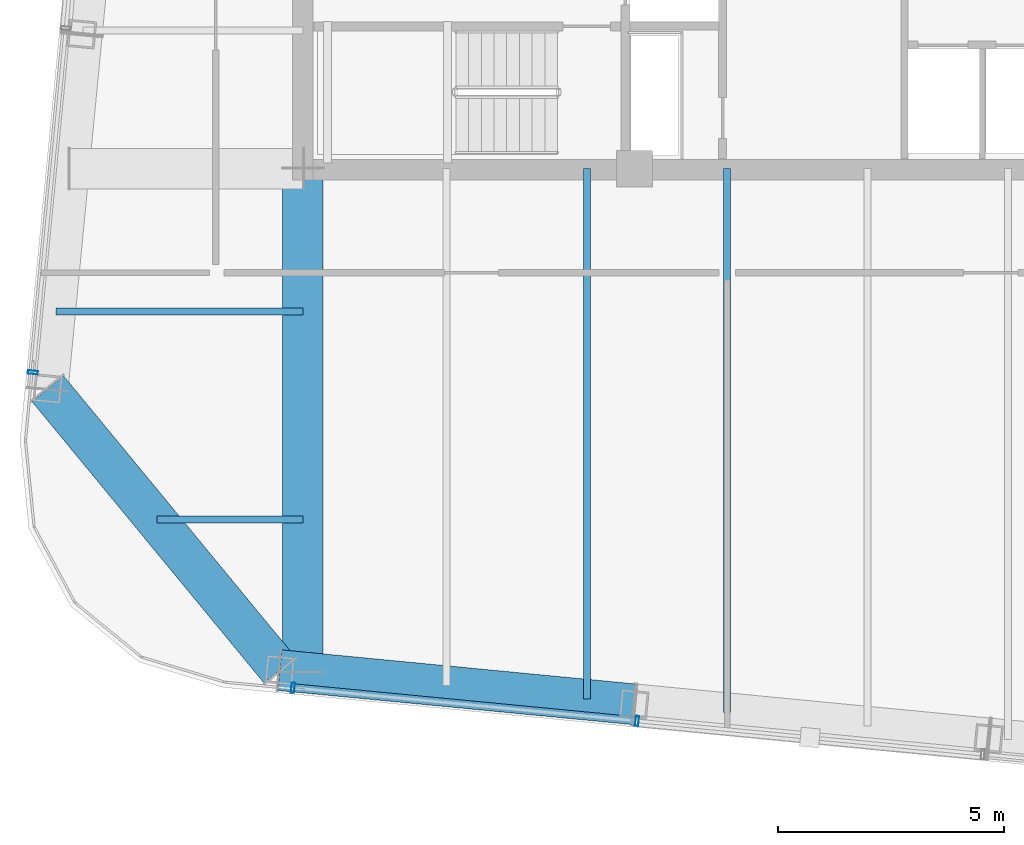
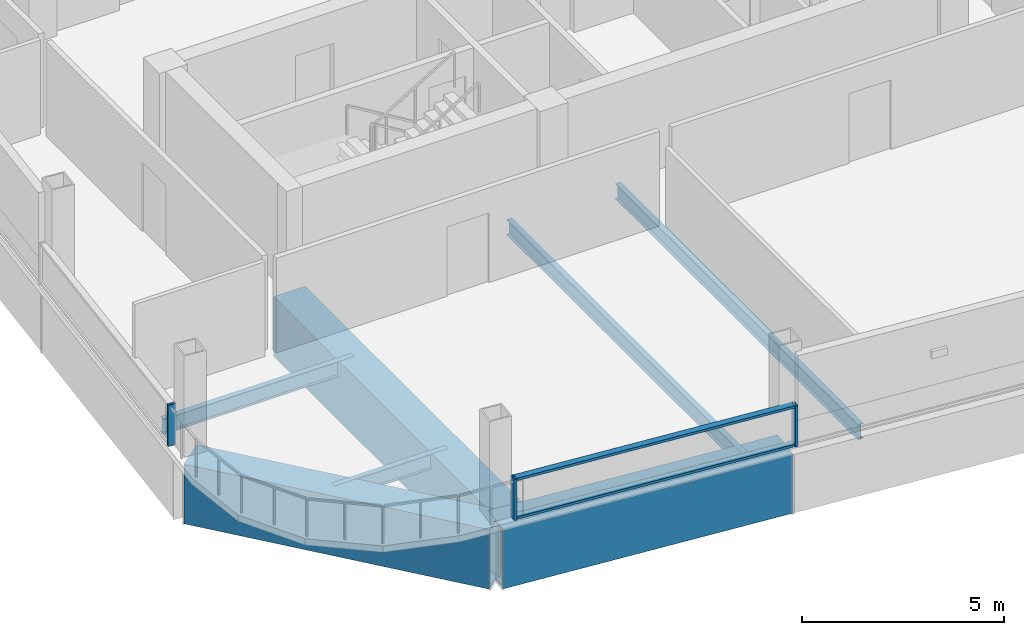
# One storey, part 2 of 21: 7 beams, 5 members, 2 elements without a shape of their own.
"""IFC4 building model written with IfcOpenShell, lengths in metres."""

from ifc_helpers import new_model, si_unit, direction, frame, origin, origin_2d, place, context, subcontext, project, spatial, hollow_rectangle, i_section, extrude, material, layer, layer_set, material_profile, profile_set, type_object, element, aggregate, save


model = new_model("IFC4")

# Units and contexts
model_context = context("Model", 3, precision=1e-05, world=origin(), true_north=direction((0.0, 1.0)))
body_context = subcontext(model_context, "Body", "Model", "MODEL_VIEW")
ifc_project = project(units=[si_unit("LENGTHUNIT", "METRE"), si_unit("AREAUNIT", "SQUARE_METRE"), si_unit("VOLUMEUNIT", "CUBIC_METRE"), si_unit("PLANEANGLEUNIT", "RADIAN"), si_unit("MASSUNIT", "GRAM", prefix="KILO")], contexts=[model_context])

# Site, building, storey
site_placement = place(None, origin())
site = spatial("IfcSite", under=ifc_project, at=site_placement, CompositionType="ELEMENT")
building_placement = place(site_placement, origin())
building = spatial("IfcBuilding", under=site, at=building_placement, Name="Qhalaya Broadcast Tower", CompositionType="ELEMENT")
storey_placement = place(building_placement, frame((0.0, 0.0, 270.300048828125)))
storey = spatial("IfcBuildingStorey", under=building, at=storey_placement, Name="L80", CompositionType="ELEMENT", Elevation=270.300048828125)

# Beams
ifc_material_1 = material(Name="Structural Steel ASTM A572 Grade 50", Category="steel")
ifc_material_profile_1 = material_profile(ifc_material_1, hollow_rectangle(XDim=0.89990234375, YDim=1.800048828125, WallThickness=0.06005859375, at=origin_2d()), Name="BOX 900x1800x60")
ifc_profile_set_1 = profile_set([ifc_material_profile_1], Name="Structural Steel ASTM A572 Grade 50")
beam_type_1 = type_object("IfcBeamType", Name="Block Cantilever Transfer Box Girder TG1", PredefinedType="USERDEFINED", material=ifc_profile_set_1)
beam_1_placement = place(storey_placement, frame((-9.883056640625, -19.82861328125, -1.090087890625), z_axis=(0.995397308407, -0.095834223619, 0.0), x_axis=(0.095834223619, 0.995397308407, 0.0)))
element("IfcBeam", 1, at=beam_1_placement, inside=storey, type_object=beam_type_1, Name="L80 TG1 L80-SPR-01", ObjectType="GIRDER", PredefinedType="USERDEFINED", context=body_context, shape_type="SweptSolid", body=[
    extrude(hollow_rectangle(XDim=0.89990234375, YDim=1.800048828125, WallThickness=0.06005859375, at=origin_2d()), origin(), (0.0, 0.0, 1.0), 7.86669921875),
])
beam_2_placement = place(storey_placement, frame((-15.010498046875, -13.6083984375, -1.090087890625), z_axis=(0.636070241972, -0.771631160126, 0.0), x_axis=(0.771631160126, 0.636070241972, 0.0)))
element("IfcBeam", 2, at=beam_2_placement, inside=storey, type_object=beam_type_1, Name="L80 TG1 L80-SPR-16", ObjectType="GIRDER", PredefinedType="USERDEFINED", context=body_context, shape_type="SweptSolid", body=[
    extrude(hollow_rectangle(XDim=0.89990234375, YDim=1.800048828125, WallThickness=0.06005859375, at=origin_2d()), origin(), (0.0, 0.0, 1.0), 8.06103515625),
])
beam_3_placement = place(storey_placement, frame((-9.375, -19.857421875, -1.090087890625), z_axis=(0.0, 1.0, 0.0), x_axis=(-1.0, 0.0, 0.0)))
element("IfcBeam", 3, at=beam_3_placement, inside=storey, type_object=beam_type_1, Name="L80 TG1 L80-PGXS1-1", ObjectType="GIRDER", PredefinedType="USERDEFINED", context=body_context, shape_type="SweptSolid", body=[
    extrude(hollow_rectangle(XDim=0.89990234375, YDim=1.800048828125, WallThickness=0.06005859375, at=origin_2d()), origin(), (0.0, 0.0, 1.0), 11.107421875),
])
ifc_material_2 = material(Name="Structural Steel ASTM A992 Grade 50", Category="steel")
ifc_material_profile_2 = material_profile(ifc_material_2, i_section(OverallWidth=0.154052734375, OverallDepth=0.458984375, WebThickness=0.009033203125, FlangeThickness=0.015380859375, at=origin_2d()), Name="W18X46")
ifc_profile_set_2 = profile_set([ifc_material_profile_2], Name="Structural Steel ASTM A992 Grade 50")
beam_type_2 = type_object("IfcBeamType", Name="Composite Floor Joist J04", PredefinedType="JOIST", material=ifc_profile_set_2)
beam_4_placement = place(storey_placement, frame((-3.10009765625, -20.46142578125, -0.41943359375), z_axis=(0.0, 1.0, 0.0), x_axis=(-1.0, 0.0, 0.0)))
element("IfcBeam", 4, at=beam_4_placement, inside=storey, type_object=beam_type_2, Name="L80 J04 L80-JNS2-1", PredefinedType="JOIST", context=body_context, shape_type="SweptSolid", body=[
    extrude(i_section(OverallWidth=0.154052734375, OverallDepth=0.458984375, WebThickness=0.009033203125, FlangeThickness=0.015380859375, at=origin_2d()), origin(), (0.0, 0.0, 1.0), 11.71142578125),
])
beam_5_placement = place(storey_placement, frame((0.0, -20.760009765625, -0.41943359375), z_axis=(0.0, 1.0, 0.0), x_axis=(-1.0, 0.0, 0.0)))
element("IfcBeam", 5, at=beam_5_placement, inside=storey, type_object=beam_type_2, Name="L80 J04 L80-JNS3-1", PredefinedType="JOIST", context=body_context, shape_type="SweptSolid", body=[
    extrude(i_section(OverallWidth=0.154052734375, OverallDepth=0.458984375, WebThickness=0.009033203125, FlangeThickness=0.015380859375, at=origin_2d()), origin(), (0.0, 0.0, 1.0), 12.010009765625),
])
beam_6_placement = place(storey_placement, frame((-12.600830078125, -16.5, -0.41943359375), z_axis=(1.0, 0.0, 0.0), x_axis=(0.0, 1.0, 0.0)))
element("IfcBeam", 6, at=beam_6_placement, inside=storey, type_object=beam_type_2, Name="L80 J04 L80-JWE1W-1", PredefinedType="JOIST", context=body_context, shape_type="SweptSolid", body=[
    extrude(i_section(OverallWidth=0.154052734375, OverallDepth=0.458984375, WebThickness=0.009033203125, FlangeThickness=0.015380859375, at=origin_2d()), origin(), (0.0, 0.0, 1.0), 3.225830078125),
])
beam_7_placement = place(storey_placement, frame((-14.82568359375, -11.89990234375, -0.41943359375), z_axis=(1.0, 0.0, 0.0), x_axis=(0.0, 1.0, 0.0)))
element("IfcBeam", 7, at=beam_7_placement, inside=storey, type_object=beam_type_2, Name="L80 J04 L80-JWE2W-1", PredefinedType="JOIST", context=body_context, shape_type="SweptSolid", body=[
    extrude(i_section(OverallWidth=0.154052734375, OverallDepth=0.458984375, WebThickness=0.009033203125, FlangeThickness=0.015380859375, at=origin_2d()), origin(), (0.0, 0.0, 1.0), 5.45068359375),
])

# Curtain wall, members
ifc_material_3 = material(Name="Fired Architectural Terracotta", Category="masonry")
ifc_layer = layer(ifc_material_3, 0.219970703125, Name="Fired Architectural Terracotta")
ifc_layer_set = layer_set([ifc_layer], Name="Fired Architectural Terracotta")
curtain_wall_type = type_object("IfcCurtainWallType", Name="Block-Cap Unitised Terracotta Spandrel Wall CW-07", PredefinedType="NOTDEFINED", material=ifc_layer_set)
curtain_wall_1_placement = place(storey_placement, origin())
curtain_wall_1 = element("IfcCurtainWall", 8, at=curtain_wall_1_placement, inside=storey, type_object=curtain_wall_type, Name="L80 Unitised Curtain Wall L80-CW-S", PredefinedType="NOTDEFINED")
ifc_material_4 = material(Name="Anodised Aluminium 6063-T6", Category="aluminium")
ifc_material_profile_3 = material_profile(ifc_material_4, hollow_rectangle(XDim=0.074951171875, YDim=0.219970703125, WallThickness=0.00390625, at=origin_2d()), Name="ALU-MUL 75x220x4")
ifc_profile_set_3 = profile_set([ifc_material_profile_3], Name="Anodised Aluminium 6063-T6")
member_type_1 = type_object("IfcMemberType", Name="Unitised Curtain-Wall Mullion M01", PredefinedType="MULLION", material=ifc_profile_set_3)
member_1_placement = place(storey_placement, frame((-1.991455078125, -20.949951171875, 0.0), z_axis=(0.0, 0.0, 1.0), x_axis=(-0.995396001153, 0.095847800651, 0.0)))
member_1 = element("IfcMember", 9, at=member_1_placement, type_object=member_type_1, Name="CW-07 mullion 3", PredefinedType="MULLION", context=body_context, shape_type="SweptSolid", body=[
    extrude(hollow_rectangle(XDim=0.074951171875, YDim=0.219970703125, WallThickness=0.00390625, at=origin_2d()), origin(), (0.0, 0.0, 1.0), 1.239990234375),
])
member_2_placement = place(storey_placement, frame((-9.593505859375, -20.218017578125, 0.0), z_axis=(0.0, 0.0, 1.0), x_axis=(-0.995396001153, 0.095847800651, 0.0)))
member_2 = element("IfcMember", 10, at=member_2_placement, type_object=member_type_1, Name="CW-07 mullion 4", PredefinedType="MULLION", context=body_context, shape_type="SweptSolid", body=[
    extrude(hollow_rectangle(XDim=0.074951171875, YDim=0.219970703125, WallThickness=0.00390625, at=origin_2d()), origin(), (0.0, 0.0, 1.0), 1.239990234375),
])

# Curtain wall, member
curtain_wall_2_placement = place(storey_placement, origin())
curtain_wall_2 = element("IfcCurtainWall", 11, at=curtain_wall_2_placement, inside=storey, type_object=curtain_wall_type, Name="L80 Unitised Curtain Wall L80-CW-W", PredefinedType="NOTDEFINED")
member_3_placement = place(storey_placement, frame((-15.337646484375, -13.249755859375, 0.0), z_axis=(0.0, 0.0, 1.0), x_axis=(0.095847800651, 0.995396001153, 0.0)))
member_3 = element("IfcMember", 12, at=member_3_placement, type_object=member_type_1, Name="CW-07 mullion 1", PredefinedType="MULLION", context=body_context, shape_type="SweptSolid", body=[
    extrude(hollow_rectangle(XDim=0.074951171875, YDim=0.219970703125, WallThickness=0.00390625, at=origin_2d()), origin(), (0.0, 0.0, 1.0), 1.239990234375),
])
aggregate(curtain_wall_2, [member_3])

# Member
ifc_material_profile_4 = material_profile(ifc_material_4, hollow_rectangle(XDim=0.074951171875, YDim=0.179931640625, WallThickness=0.00390625, at=origin_2d()), Name="ALU-TRN 75x180x4")
ifc_profile_set_4 = profile_set([ifc_material_profile_4], Name="Anodised Aluminium 6063-T6")
member_type_2 = type_object("IfcMemberType", Name="Unitised Curtain-Wall Transom T01", PredefinedType="USERDEFINED", material=ifc_profile_set_4)
member_4_placement = place(storey_placement, frame((-2.02880859375, -20.9462890625, 0.037353515625), z_axis=(-0.995398612643, 0.095820675997, 0.0), x_axis=(0.0, 0.0, 1.0)))
member_4 = element("IfcMember", 13, at=member_4_placement, type_object=member_type_2, Name="CW-07 transom 3.1", ObjectType="TRANSOM", PredefinedType="USERDEFINED", context=body_context, shape_type="SweptSolid", body=[
    extrude(hollow_rectangle(XDim=0.074951171875, YDim=0.179931640625, WallThickness=0.00390625, at=origin_2d()), origin(), (0.0, 0.0, 1.0), 7.562255859375),
])

member_5_placement = place(storey_placement, frame((-2.02880859375, -20.9462890625, 1.202392578125), z_axis=(-0.995398612643, 0.095820675997, 0.0), x_axis=(0.0, 0.0, 1.0)))
member_5 = element("IfcMember", 14, at=member_5_placement, type_object=member_type_2, Name="CW-07 transom 3.2", ObjectType="TRANSOM", PredefinedType="USERDEFINED", context=body_context, shape_type="SweptSolid", body=[
    extrude(hollow_rectangle(XDim=0.074951171875, YDim=0.179931640625, WallThickness=0.00390625, at=origin_2d()), origin(), (0.0, 0.0, 1.0), 7.562255859375),
])

aggregate(curtain_wall_1, [member_1, member_2, member_4, member_5])

save(model, "model.ifc")
